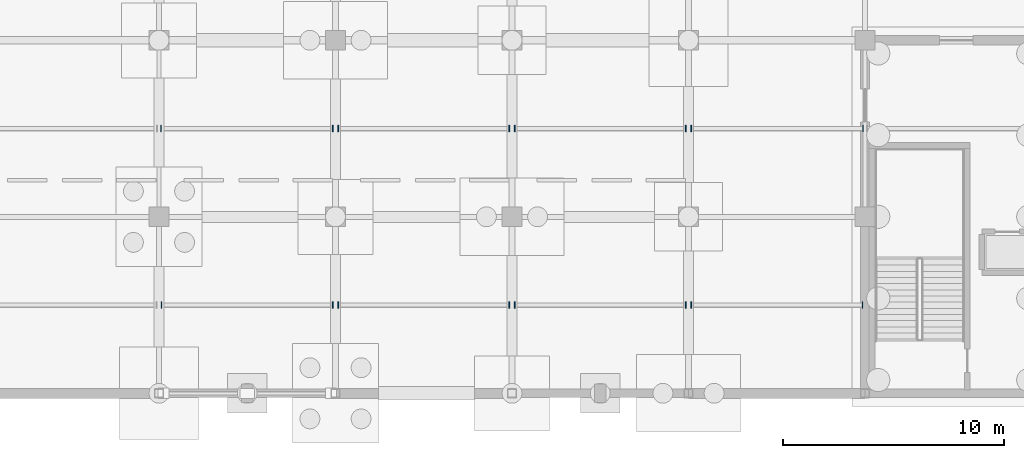
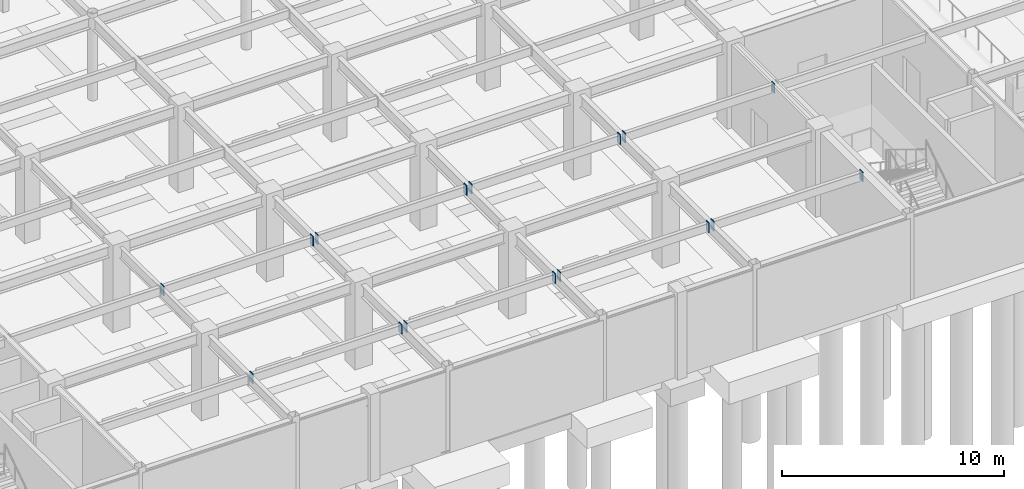
# One storey, part 70 of 105: 16 discrete accessories.
"""IFC4 building model written with IfcOpenShell, lengths in metres."""

import ifcopenshell
import ifcopenshell.guid

model = None  # the IFC model being written
_history = None  # IfcOwnerHistory: only IFC2X3 demands one
_inside = {}  # id of a spatial element -> (the spatial element, [elements in it])
_under = {}  # id of a project, library or spatial element -> (it, [spatial elements below it])
_declared = {}  # id of a project -> (the project, [libraries it declares])
_typed = {}  # id of a type object -> (the type object, [elements of that type])
_made_of = {}  # id of a material, layer set ... -> (it, [elements and type objects made of it])


def new_model(schema):
    """Start an empty IFC model of exactly this schema.

    Asked for "IFC4X3", IfcOpenShell would pick the latest addendum, in which some entities
    have other attributes; the version numbers below select the first issue.
    IFC2X3 requires an IfcOwnerHistory on every rooted entity: one is made here for all.
    """
    global model, _history
    if schema == "IFC4X3":
        model = ifcopenshell.file(schema_version=(4, 3, 0, 0))
    else:
        model = ifcopenshell.file(schema=schema)
    _inside.clear()
    _under.clear()
    _declared.clear()
    _typed.clear()
    _made_of.clear()
    _history = None
    if model.schema == "IFC2X3":
        org = make("IfcOrganization", Name="unknown")
        user = make(
            "IfcPersonAndOrganization",
            ThePerson=make("IfcPerson", FamilyName="unknown"),
            TheOrganization=org,
        )
        app = make(
            "IfcApplication",
            ApplicationDeveloper=org,
            Version="unknown",
            ApplicationFullName="unknown",
            ApplicationIdentifier="unknown",
        )
        _history = make(
            "IfcOwnerHistory",
            OwningUser=user,
            OwningApplication=app,
            ChangeAction="ADDED",
            CreationDate=0,
        )
    return model


def make(cls, **values):
    """One entity of the class cls with the attributes given. An attribute that is None is left unset."""
    return model.create_entity(
        cls, **{name: value for name, value in values.items() if value is not None}
    )


def rooted(cls, **values):
    """An entity with a GlobalId (a new one), such as an element, a storey or a relation."""
    return make(cls, GlobalId=ifcopenshell.guid.new(), OwnerHistory=_history, **values)


def si_unit(unit_type, name, prefix=None):
    """IfcSIUnit, for example si_unit("LENGTHUNIT", "METRE", prefix="MILLI")."""
    return make("IfcSIUnit", UnitType=unit_type, Prefix=prefix, Name=name)


def assignment(units):
    """IfcUnitAssignment: the units of a project."""
    return None if units is None else make("IfcUnitAssignment", Units=units)


def point(xyz):
    """IfcCartesianPoint."""
    return None if xyz is None else make("IfcCartesianPoint", Coordinates=xyz)


def direction(xyz):
    """IfcDirection."""
    return None if xyz is None else make("IfcDirection", DirectionRatios=xyz)


def frame(location, z_axis=None, x_axis=None):
    """IfcAxis2Placement3D, a coordinate frame: its origin and axes. An axis left out is left unset."""
    return make(
        "IfcAxis2Placement3D",
        Location=point(location),
        Axis=direction(z_axis),
        RefDirection=direction(x_axis),
    )


def frame_2d(location, x_axis=None):
    """IfcAxis2Placement2D, a coordinate frame in the plane: its origin and x axis."""
    return make(
        "IfcAxis2Placement2D", Location=point(location), RefDirection=direction(x_axis)
    )


def origin():
    """The frame at (0, 0, 0) with its axes left unset."""
    return frame((0.0, 0.0, 0.0))


def origin_2d():
    """The frame at (0, 0) in the plane with its x axis left unset."""
    return frame_2d((0.0, 0.0))


def place(relative_to, where):
    """IfcLocalPlacement: puts the frame where relative to a parent placement (None: the world)."""
    return make(
        "IfcLocalPlacement", PlacementRelTo=relative_to, RelativePlacement=where
    )


def context(
    kind, dimensions, precision=None, world=None, true_north=None, identifier=None
):
    """IfcGeometricRepresentationContext, for example the 3D "Model" context."""
    return make(
        "IfcGeometricRepresentationContext",
        ContextIdentifier=identifier,
        ContextType=kind,
        CoordinateSpaceDimension=dimensions,
        Precision=precision,
        WorldCoordinateSystem=world,
        TrueNorth=true_north,
    )


def subcontext(parent, identifier, kind, view, scale=None):
    """IfcGeometricRepresentationSubContext, for example "Body" below "Model"."""
    return make(
        "IfcGeometricRepresentationSubContext",
        ContextIdentifier=identifier,
        ContextType=kind,
        ParentContext=parent,
        TargetScale=scale,
        TargetView=view,
    )


def project(units=None, contexts=None):
    """IfcProject with its units and contexts."""
    return rooted(
        "IfcProject",
        Name="project",
        RepresentationContexts=contexts,
        UnitsInContext=assignment(units),
    )


def spatial(cls, under=None, at=None, **own):
    """A site, building, storey or space (cls), placed at a placement, below another one or the project."""
    s = rooted(cls, ObjectPlacement=at, **own)
    if under is not None:
        _under.setdefault(under.id(), (under, []))[1].append(s)
    return s


def profile(cls, at=None, kind="AREA", **sizes):
    """A parametric profile (cls). Its sizes go by their IFC names, for example OverallWidth=200.0."""
    return make(cls, ProfileType=kind, Position=at, **sizes)


def rectangle(**sizes):
    """IfcRectangleProfileDef."""
    return profile("IfcRectangleProfileDef", **sizes)


def extrude(swept, where, along, depth):
    """IfcExtrudedAreaSolid: the profile swept, set in the frame where, extruded along a direction by depth."""
    return make(
        "IfcExtrudedAreaSolid",
        SweptArea=swept,
        Position=where,
        ExtrudedDirection=direction(along),
        Depth=depth,
    )


def shape(context_of_items, identifier, shape_type, items):
    """IfcShapeRepresentation: the items that make up one representation, for example the "Body"."""
    return make(
        "IfcShapeRepresentation",
        ContextOfItems=context_of_items,
        RepresentationIdentifier=identifier,
        RepresentationType=shape_type,
        Items=items,
    )


def material(Name=None, Category=None):
    """IfcMaterial."""
    return make("IfcMaterial", Name=Name, Category=Category)


def layer(
    of_material, thickness, ventilated=None, Name=None, Category=None, Priority=None
):
    """IfcMaterialLayer: one layer of a wall or slab, of a material (None: an air gap)."""
    return make(
        "IfcMaterialLayer",
        Material=of_material,
        LayerThickness=thickness,
        IsVentilated=ventilated,
        Name=Name,
        Category=Category,
        Priority=Priority,
    )


def layer_set(layers, Name=None):
    """IfcMaterialLayerSet."""
    return make("IfcMaterialLayerSet", MaterialLayers=layers, LayerSetName=Name)


def made_of(thing, what):
    """Note that an element or type object is made of a material, layer set ...; save() writes the relation."""
    if what is not None:
        _made_of.setdefault(what.id(), (what, []))[1].append(thing)
    return thing


def type_object(cls, material=None, **own):
    """A type object (cls), such as IfcWallType, which elements share."""
    return made_of(rooted(cls, **own), material)


def element(
    cls,
    number,
    at=None,
    inside=None,
    cuts=None,
    type_object=None,
    material=None,
    context=None,
    identifier="Body",
    shape_type=None,
    held_by="IfcProductDefinitionShape",
    body=None,
    shapes=None,
    **own,
):
    """One element of the class cls, such as IfcWall. Its Tag is "e" and its number.

    at: its placement. inside: the storey or other place that contains it. cuts: it is an
    opening in that element (IfcRelVoidsElement). A single representation is given by context,
    identifier, shape_type and body (its items); several are given by shapes. held_by: the class
    of the entity that holds the representations. save() writes the other relations.
    """
    e = rooted(cls, Tag="e%d" % number, ObjectPlacement=at, **own)
    if body is not None:
        shapes = [shape(context, identifier, shape_type, body)]
    if shapes is not None:
        e.Representation = make(held_by, Representations=shapes)
    if inside is not None:
        _inside.setdefault(inside.id(), (inside, []))[1].append(e)
    if cuts is not None:
        rooted(
            "IfcRelVoidsElement", RelatingBuildingElement=cuts, RelatedOpeningElement=e
        )
    if type_object is not None:
        _typed.setdefault(type_object.id(), (type_object, []))[1].append(e)
    return made_of(e, material)


def aggregate(whole, parts):
    """IfcRelAggregates: a whole, such as a stair, and the parts it consists of."""
    return rooted("IfcRelAggregates", RelatingObject=whole, RelatedObjects=parts)


def save(model, path):
    """Write the relations noted so far, then the file.

    IfcRelAggregates (storeys below a building ...), IfcRelContainedInSpatialStructure (elements
    in a storey), IfcRelDefinesByType, IfcRelAssociatesMaterial and IfcRelDeclares: one each for
    every whole, place, type object, material and project.
    """
    for whole, parts in _under.values():
        aggregate(whole, parts)
    for where, things in _inside.values():
        rooted(
            "IfcRelContainedInSpatialStructure",
            RelatedElements=things,
            RelatingStructure=where,
        )
    for kind, things in _typed.values():
        rooted("IfcRelDefinesByType", RelatedObjects=things, RelatingType=kind)
    for what, things in _made_of.values():
        rooted("IfcRelAssociatesMaterial", RelatedObjects=things, RelatingMaterial=what)
    for by, libraries in _declared.values():
        rooted("IfcRelDeclares", RelatingContext=by, RelatedDefinitions=libraries)
    model.write(path)


model = new_model("IFC4")

# Units and contexts
model_context = context("Model", 3, precision=1e-05, world=origin(), true_north=direction((0.0, 1.0)))
body_context = subcontext(model_context, "Body", "Model", "MODEL_VIEW")
ifc_project = project(units=[si_unit("LENGTHUNIT", "METRE"), si_unit("AREAUNIT", "SQUARE_METRE"), si_unit("VOLUMEUNIT", "CUBIC_METRE"), si_unit("PLANEANGLEUNIT", "RADIAN"), si_unit("MASSUNIT", "GRAM", prefix="KILO")], contexts=[model_context])

# Site, building, storey
site_placement = place(None, origin())
site = spatial("IfcSite", under=ifc_project, at=site_placement, CompositionType="ELEMENT")
building_placement = place(site_placement, origin())
building = spatial("IfcBuilding", under=site, at=building_placement, Name="Solmirada Galleria", CompositionType="ELEMENT")
storey_placement = place(building_placement, frame((0.0, 0.0, -4.800048828125)))
storey = spatial("IfcBuildingStorey", under=building, at=storey_placement, Name="B1", CompositionType="ELEMENT", Elevation=-4.800048828125)

# Discrete accessories
ifc_material = material(Name="Steel S355 / ASTM A572 Grade 50", Category="steel")
ifc_layer = layer(ifc_material, 0.031982421875)
ifc_layer_set = layer_set([ifc_layer], Name="Steel S355 / ASTM A572 Grade 50")
discrete_accessory_type = type_object("IfcDiscreteAccessoryType", Name="ACC-COL-CAP", PredefinedType="BRACKET", material=ifc_layer_set)
for number, where, z_axis, x_axis, name in (
    (1, (104.114013671875, 4.0, 4.08154296875), (0.0, 0.0, 1.0), (1.0, 0.0, 0.0), "Hollow joist end plate L00-14-01-L"),
    (2, (111.873046875, 4.0, 4.08154296875), (0.0, 0.0, 1.0), (1.0, 0.0, 0.0), "Hollow joist end plate L00-14-01-R"),
    (3, (104.089111328125, 12.0, 4.08154296875), (0.0, 0.0, 1.0), (1.0, 0.0, 0.0), "Hollow joist end plate L00-14-02-L"),
    (4, (111.873046875, 12.0, 4.08154296875), (0.0, 0.0, 1.0), (1.0, 0.0, 0.0), "Hollow joist end plate L00-14-02-R"),
    (5, (112.126953125, 4.0, 4.08154296875), (0.0, 0.0, 1.0), (1.0, 0.0, 0.0), "Hollow joist end plate L00-15-01-L"),
    (6, (119.8720703125, 4.0, 4.08154296875), (0.0, 0.0, 1.0), (1.0, 0.0, 0.0), "Hollow joist end plate L00-15-01-R"),
    (7, (112.126953125, 12.0, 4.08154296875), (0.0, 0.0, 1.0), (1.0, 0.0, 0.0), "Hollow joist end plate L00-15-02-L"),
    (8, (119.8720703125, 12.0, 4.08154296875), (0.0, 0.0, 1.0), (1.0, 0.0, 0.0), "Hollow joist end plate L00-15-02-R"),
    (9, (120.1279296875, 4.0, 4.08154296875), (0.0, 0.0, 1.0), (1.0, 0.0, 0.0), "Hollow joist end plate L00-16-01-L"),
    (10, (127.873046875, 4.0, 4.08154296875), (0.0, 0.0, 1.0), (1.0, 0.0, 0.0), "Hollow joist end plate L00-16-01-R"),
    (11, (120.1279296875, 12.0, 4.08154296875), (0.0, 0.0, 1.0), (1.0, 0.0, 0.0), "Hollow joist end plate L00-16-02-L"),
    (12, (127.873046875, 12.0, 4.08154296875), (0.0, 0.0, 1.0), (1.0, 0.0, 0.0), "Hollow joist end plate L00-16-02-R"),
    (13, (128.126953125, 4.0, 4.08154296875), (0.0, 0.0, 1.0), (1.0, 0.0, 0.0), "Hollow joist end plate L00-17-01-L"),
    (14, (135.885986328125, 4.0, 4.08154296875), (0.0, 0.0, 1.0), (1.0, 0.0, 0.0), "Hollow joist end plate L00-17-01-R"),
    (15, (128.126953125, 12.0, 4.08154296875), (0.0, 0.0, 1.0), (1.0, 0.0, 0.0), "Hollow joist end plate L00-17-02-L"),
    (16, (135.910888671875, 12.0, 4.08154296875), (0.0, 0.0, 1.0), (1.0, 0.0, 0.0), "Hollow joist end plate L00-17-02-R"),
):
    element("IfcDiscreteAccessory", number, at=place(storey_placement, frame(where, z_axis=z_axis, x_axis=x_axis)), inside=storey, type_object=discrete_accessory_type, Name=name, PredefinedType="BRACKET", context=body_context, shape_type="SweptSolid", body=[
        extrude(rectangle(XDim=0.035888671875, YDim=0.280029296875, at=origin_2d()), origin(), (0.0, 0.0, 1.0), 0.5400390625),
    ])

save(model, "model.ifc")
